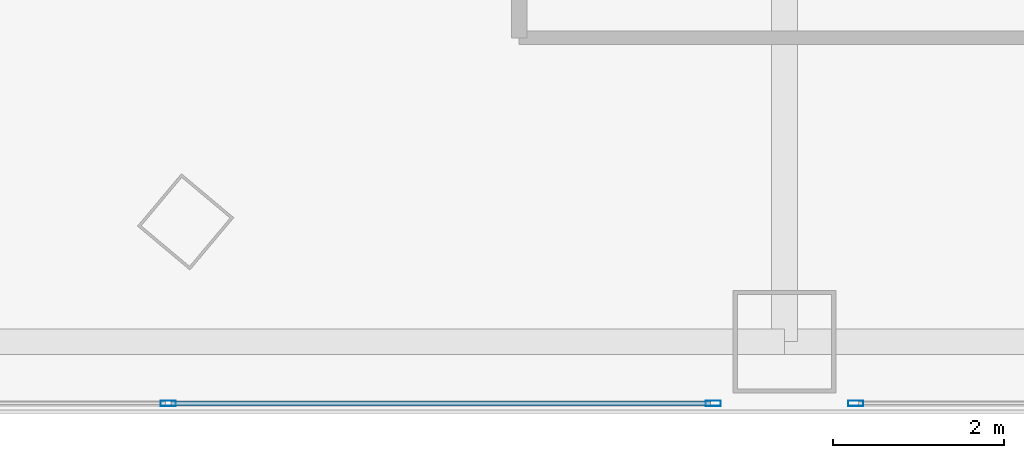
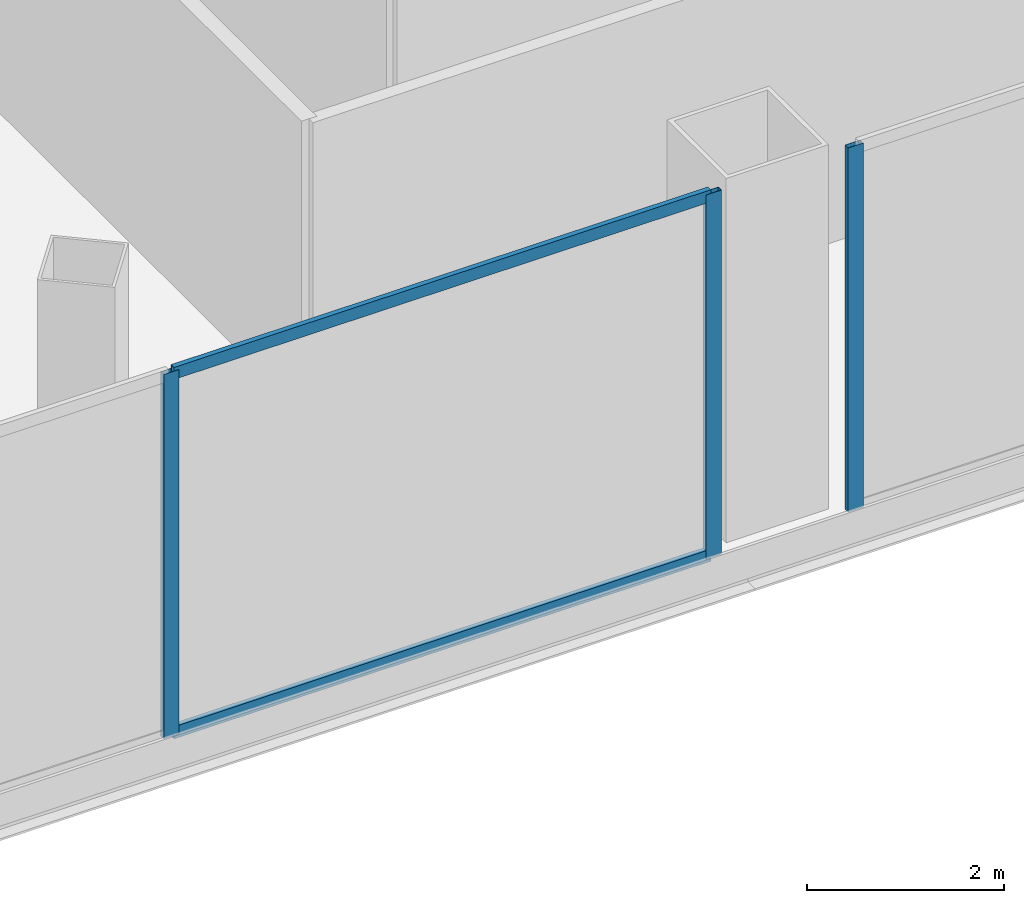
# One storey, part 5 of 27: 5 members, 2 elements without a shape of their own.
"""IFC4 building model written with IfcOpenShell, lengths in metres."""

from ifc_helpers import new_model, si_unit, direction, frame, origin, origin_2d, place, context, subcontext, project, spatial, hollow_rectangle, extrude, source, transform, mapped, material, layer, layer_set, material_profile, profile_set, type_object, element, aggregate, save


model = new_model("IFC4")

# Units and contexts
model_context = context("Model", 3, precision=1e-05, world=origin(), true_north=direction((0.0, 1.0)))
body_context = subcontext(model_context, "Body", "Model", "MODEL_VIEW")
ifc_project = project(units=[si_unit("LENGTHUNIT", "METRE"), si_unit("AREAUNIT", "SQUARE_METRE"), si_unit("VOLUMEUNIT", "CUBIC_METRE"), si_unit("PLANEANGLEUNIT", "RADIAN"), si_unit("MASSUNIT", "GRAM", prefix="KILO"), si_unit("THERMODYNAMICTEMPERATUREUNIT", "KELVIN"), si_unit("POWERUNIT", "WATT")], contexts=[model_context])

# Site, building, storey
site_placement = place(None, origin())
site = spatial("IfcSite", under=ifc_project, at=site_placement, CompositionType="ELEMENT")
building_placement = place(site_placement, origin())
building = spatial("IfcBuilding", under=site, at=building_placement, Name="Yunzhuo Pagoda Commons", CompositionType="ELEMENT")
storey_placement = place(building_placement, frame((0.0, 0.0, 9.60009765625)))
storey = spatial("IfcBuildingStorey", under=building, at=storey_placement, Name="L03", CompositionType="ELEMENT", Elevation=9.60009765625)

# Curtain wall, members
ifc_material = material(Name="Anodized aluminium 6063-T6", Category="aluminium")
ifc_layer = layer(ifc_material, 0.179931640625)
ifc_layer_set = layer_set([ifc_layer], Name="Anodized aluminium 6063-T6")
curtain_wall_type = type_object("IfcCurtainWallType", Name="CW-POD Waterfront Podium Curtain Wall", PredefinedType="NOTDEFINED", material=ifc_layer_set)
curtain_wall_1_placement = place(storey_placement, origin())
curtain_wall_1 = element("IfcCurtainWall", 1, at=curtain_wall_1_placement, inside=storey, type_object=curtain_wall_type, Name="L03 curtain wall CW-L03-S2", PredefinedType="NOTDEFINED")
ifc_material_profile_1 = material_profile(ifc_material, hollow_rectangle(XDim=0.06494140625, YDim=0.179931640625, WallThickness=0.00390625, at=origin_2d()), Name="Anodized aluminium 6063-T6")
ifc_profile_set_1 = profile_set([ifc_material_profile_1], Name="Anodized aluminium 6063-T6")
member_type_1 = type_object("IfcMemberType", Name="CW-POD-M Mullion RHS 180x65x4", PredefinedType="MULLION", material=ifc_profile_set_1)
shared_shape_1 = source(origin(), body_context, "Body", "SweptSolid", [
    extrude(hollow_rectangle(XDim=0.06494140625, YDim=0.179931640625, WallThickness=0.00390625, at=origin_2d()), origin(), (0.0, 0.0, 1.0), 4.52001953125),
])
member_1_placement = place(storey_placement, frame((26.39990234375, 6.080078125, 0.0), z_axis=(0.0, 0.0, 1.0), x_axis=(0.0, 1.0, 0.0)))
member_1 = element("IfcMember", 2, at=member_1_placement, type_object=member_type_1, Name="CW mullion 2", PredefinedType="MULLION", context=body_context, shape_type="MappedRepresentation", body=[
    mapped(shared_shape_1, transform((0.0, 0.0, 0.0), scale=1.0)),
])
member_2_placement = place(storey_placement, frame((32.767578125, 6.080078125, 0.0), z_axis=(0.0, 0.0, 1.0), x_axis=(0.0, 1.0, 0.0)))
member_2 = element("IfcMember", 3, at=member_2_placement, type_object=member_type_1, Name="CW mullion 3", PredefinedType="MULLION", context=body_context, shape_type="MappedRepresentation", body=[
    mapped(shared_shape_1, transform((0.0, 0.0, 0.0), scale=1.0)),
])

# Curtain wall, member
curtain_wall_2_placement = place(storey_placement, origin())
curtain_wall_2 = element("IfcCurtainWall", 4, at=curtain_wall_2_placement, inside=storey, type_object=curtain_wall_type, Name="L03 curtain wall CW-L03-S3", PredefinedType="NOTDEFINED")
member_3_placement = place(storey_placement, frame((34.4326171875, 6.080078125, 0.0), z_axis=(0.0, 0.0, 1.0), x_axis=(0.0, 1.0, 0.0)))
member_3 = element("IfcMember", 5, at=member_3_placement, type_object=member_type_1, Name="CW mullion 1", PredefinedType="MULLION", context=body_context, shape_type="MappedRepresentation", body=[
    mapped(shared_shape_1, transform((0.0, 0.0, 0.0), scale=1.0)),
])
aggregate(curtain_wall_2, [member_3])

# Member
ifc_material_profile_2 = material_profile(ifc_material, hollow_rectangle(XDim=0.06005859375, YDim=0.14990234375, WallThickness=0.00390625, at=origin_2d()), Name="Anodized aluminium 6063-T6")
ifc_profile_set_2 = profile_set([ifc_material_profile_2], Name="Anodized aluminium 6063-T6")
member_type_2 = type_object("IfcMemberType", Name="CW-POD-T Transom RHS 150x60x4", PredefinedType="USERDEFINED", material=ifc_profile_set_2)
shared_shape_2 = source(origin(), body_context, "Body", "SweptSolid", [
    extrude(hollow_rectangle(XDim=0.06005859375, YDim=0.14990234375, WallThickness=0.00390625, at=origin_2d()), origin(), (0.0, 0.0, 1.0), 6.302490234375),
])
member_4_placement = place(storey_placement, frame((26.4326171875, 6.080078125, 0.02978515625), z_axis=(1.0, 0.0, 0.0), x_axis=(0.0, 1.0, 0.0)))
member_4 = element("IfcMember", 6, at=member_4_placement, type_object=member_type_2, Name="CW transom 2.1", ObjectType="TRANSOM", PredefinedType="USERDEFINED", context=body_context, shape_type="MappedRepresentation", body=[
    mapped(shared_shape_2, transform((0.0, 0.0, 0.0), scale=1.0)),
])

member_5_placement = place(storey_placement, frame((26.4326171875, 6.080078125, 4.489990234375), z_axis=(1.0, 0.0, 0.0), x_axis=(0.0, 1.0, 0.0)))
member_5 = element("IfcMember", 7, at=member_5_placement, type_object=member_type_2, Name="CW transom 2.2", ObjectType="TRANSOM", PredefinedType="USERDEFINED", context=body_context, shape_type="MappedRepresentation", body=[
    mapped(shared_shape_2, transform((0.0, 0.0, 0.0), scale=1.0)),
])

aggregate(curtain_wall_1, [member_1, member_2, member_4, member_5])

save(model, "model.ifc")
